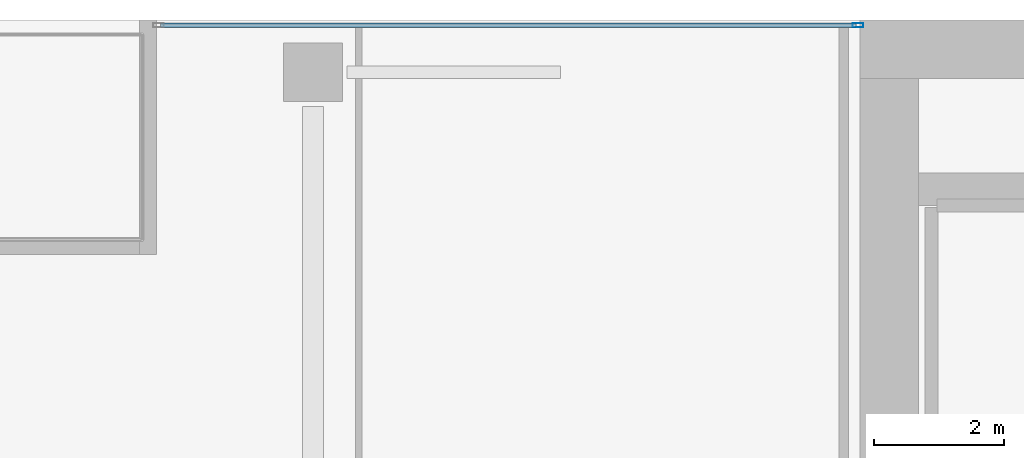
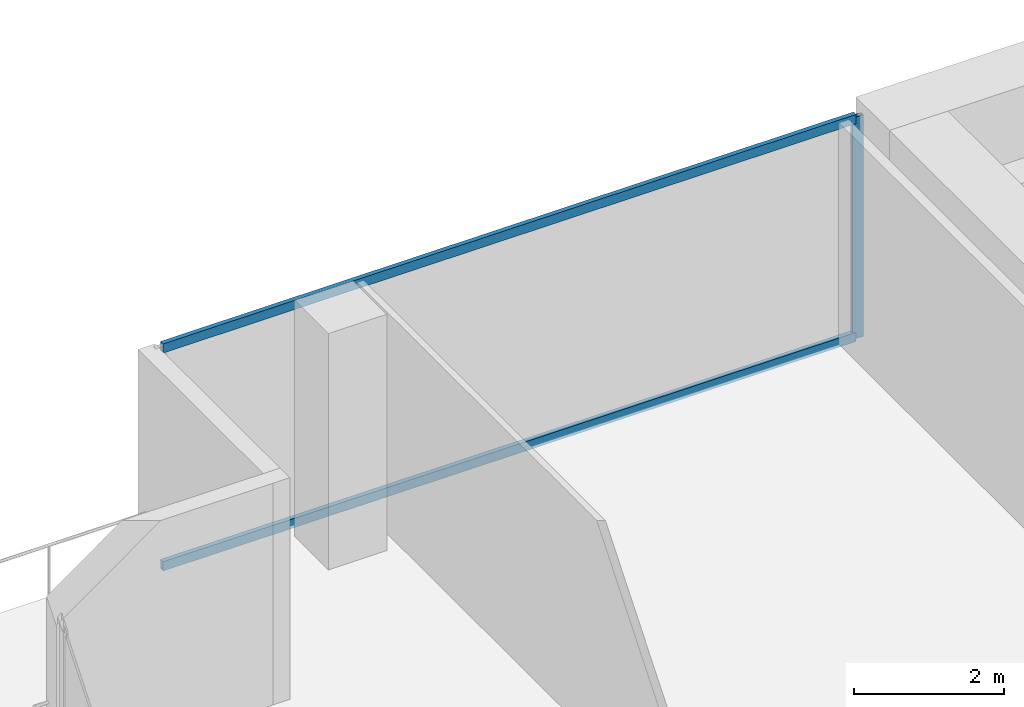
# One storey, part 15 of 31: 3 members, 1 element without a shape of its own.
"""IFC4 building model written with IfcOpenShell, lengths in metres."""

from ifc_helpers import new_model, si_unit, direction, frame, origin, origin_2d, place, context, subcontext, project, spatial, hollow_rectangle, extrude, material, layer, layer_set, material_profile, profile_set, type_object, element, aggregate, save


model = new_model("IFC4")

# Units and contexts
model_context = context("Model", 3, precision=1e-05, world=origin(), true_north=direction((0.0, 1.0)))
body_context = subcontext(model_context, "Body", "Model", "MODEL_VIEW")
ifc_project = project(units=[si_unit("LENGTHUNIT", "METRE"), si_unit("AREAUNIT", "SQUARE_METRE"), si_unit("VOLUMEUNIT", "CUBIC_METRE"), si_unit("PLANEANGLEUNIT", "RADIAN"), si_unit("MASSUNIT", "GRAM", prefix="KILO")], contexts=[model_context])

# Site, building, storey
site_placement = place(None, origin())
site = spatial("IfcSite", under=ifc_project, at=site_placement, CompositionType="ELEMENT")
building_placement = place(site_placement, origin())
building = spatial("IfcBuilding", under=site, at=building_placement, Name="Maruvema Waterfront Hotel and Observation Tower", CompositionType="ELEMENT")
storey_placement = place(building_placement, frame((0.0, 0.0, 26.949951171875)))
storey = spatial("IfcBuildingStorey", under=building, at=storey_placement, Name="L05", CompositionType="ELEMENT", Elevation=26.949951171875)

# Curtain wall, members
ifc_material_1 = material(Name="Anodised bronze aluminium and solar-control low-E IGU", Category="aluminium")
ifc_layer = layer(ifc_material_1, 0.159912109375, Name="Zone 1 Bronze Inner Thermal Curtain Wall System CW-02")
ifc_layer_set = layer_set([ifc_layer], Name="Anodised bronze aluminium and solar-control low-E IGU")
curtain_wall_type = type_object("IfcCurtainWallType", Name="Zone 1 Bronze Inner Thermal Curtain Wall System CW-02", PredefinedType="USERDEFINED", material=ifc_layer_set)
curtain_wall_placement = place(storey_placement, origin())
curtain_wall = element("IfcCurtainWall", 1, at=curtain_wall_placement, inside=storey, type_object=curtain_wall_type, Name="L05 Curtain Wall CW-L05-NW", ObjectType="UNITISED CURTAIN WALL", PredefinedType="USERDEFINED")
ifc_material_2 = material(Name="Anodised architectural bronze aluminium", Category="aluminium")
ifc_material_profile_1 = material_profile(ifc_material_2, hollow_rectangle(XDim=0.070068359375, YDim=0.14990234375, WallThickness=0.00390625, at=origin_2d()), Name="ALU-T70x150")
ifc_profile_set_1 = profile_set([ifc_material_profile_1], Name="Anodised architectural bronze aluminium")
member_type_1 = type_object("IfcMemberType", Name="Curtain Wall Horizontal Transom ALU-T70x150", PredefinedType="USERDEFINED", material=ifc_profile_set_1)
member_1_placement = place(storey_placement, frame((25.139892578125, 53.919921875, 0.030029296875), z_axis=(-1.0, 0.0, 0.0), x_axis=(0.0, -1.0, 0.0)))
member_1 = element("IfcMember", 2, at=member_1_placement, type_object=member_type_1, Name="CW-02 transom 1.1", ObjectType="TRANSOM", PredefinedType="USERDEFINED", context=body_context, shape_type="SweptSolid", body=[
    extrude(hollow_rectangle(XDim=0.070068359375, YDim=0.14990234375, WallThickness=0.00390625, at=origin_2d()), origin(), (0.0, 0.0, 1.0), 10.679931640625),
])
member_2_placement = place(storey_placement, frame((25.139892578125, 53.919921875, 3.580078125), z_axis=(-1.0, 0.0, 0.0), x_axis=(0.0, -1.0, 0.0)))
member_2 = element("IfcMember", 3, at=member_2_placement, type_object=member_type_1, Name="CW-02 transom 1.2", ObjectType="TRANSOM", PredefinedType="USERDEFINED", context=body_context, shape_type="SweptSolid", body=[
    extrude(hollow_rectangle(XDim=0.070068359375, YDim=0.14990234375, WallThickness=0.00390625, at=origin_2d()), origin(), (0.0, 0.0, 1.0), 10.679931640625),
])
ifc_material_3 = material(Name="Anodised architectural bronze aluminium", Category="aluminium")
ifc_material_profile_2 = material_profile(ifc_material_3, hollow_rectangle(XDim=0.06494140625, YDim=0.1650390625, WallThickness=0.00390625, at=origin_2d()), Name="ALU-M65x165")
ifc_profile_set_2 = profile_set([ifc_material_profile_2], Name="Anodised architectural bronze aluminium")
member_type_2 = type_object("IfcMemberType", Name="Curtain Wall Primary Mullion ALU-M65x165", PredefinedType="MULLION", material=ifc_profile_set_2)
member_3_placement = place(storey_placement, frame((25.169921875, 53.919921875, 0.0), z_axis=(0.0, 0.0, 1.0), x_axis=(0.0, -1.0, 0.0)))
member_3 = element("IfcMember", 4, at=member_3_placement, type_object=member_type_2, Name="CW-02 mullion 1", PredefinedType="MULLION", context=body_context, shape_type="SweptSolid", body=[
    extrude(hollow_rectangle(XDim=0.06494140625, YDim=0.1650390625, WallThickness=0.00390625, at=origin_2d()), origin(), (0.0, 0.0, 1.0), 3.610107421875),
])
aggregate(curtain_wall, [member_3, member_1, member_2])

save(model, "model.ifc")
